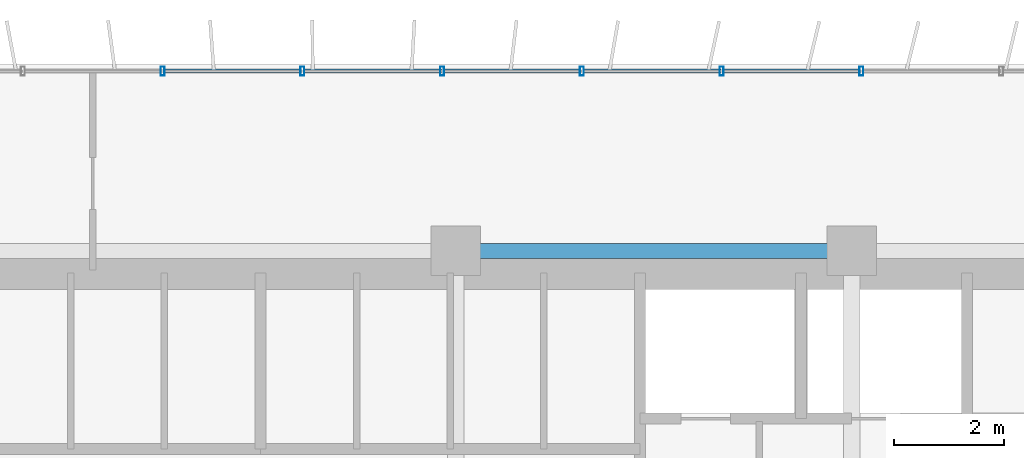
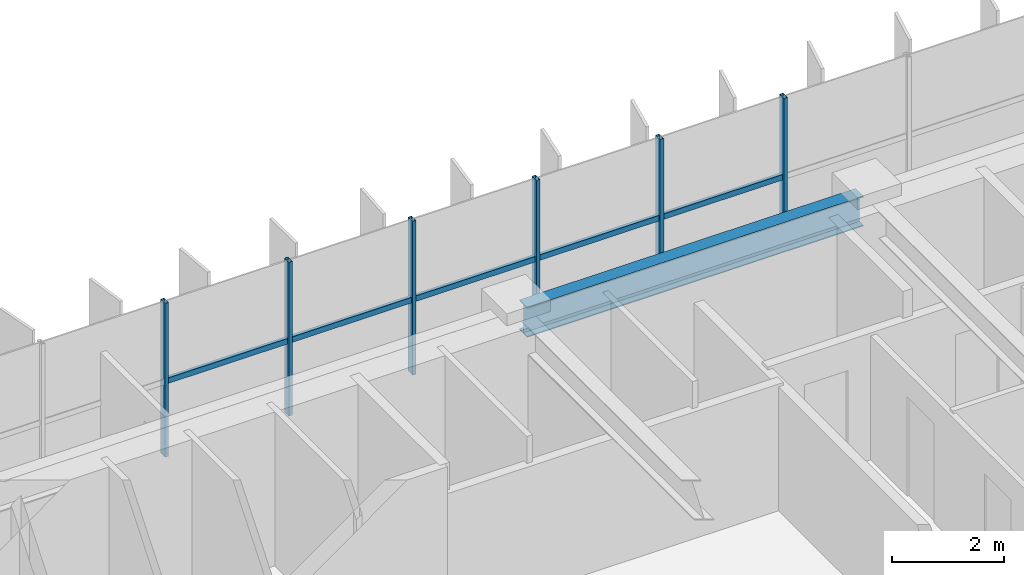
# One storey, part 10 of 23: 11 members, 1 beam, 1 element without a shape of its own.
"""IFC4 building model written with IfcOpenShell, lengths in metres."""

from ifc_helpers import new_model, si_unit, direction, frame, origin, origin_2d, place, context, subcontext, project, spatial, hollow_rectangle, i_section, extrude, source, transform, mapped, material, material_profile, profile_set, type_object, element, aggregate, save


model = new_model("IFC4")

# Units and contexts
model_context = context("Model", 3, precision=1e-05, world=origin(), true_north=direction((0.0, 1.0)))
body_context = subcontext(model_context, "Body", "Model", "MODEL_VIEW")
ifc_project = project(units=[si_unit("LENGTHUNIT", "METRE"), si_unit("AREAUNIT", "SQUARE_METRE"), si_unit("VOLUMEUNIT", "CUBIC_METRE"), si_unit("PLANEANGLEUNIT", "RADIAN"), si_unit("MASSUNIT", "GRAM", prefix="KILO")], contexts=[model_context])

# Site, building, storey
site_placement = place(None, origin())
site = spatial("IfcSite", under=ifc_project, at=site_placement, CompositionType="ELEMENT")
building_placement = place(site_placement, origin())
building = spatial("IfcBuilding", under=site, at=building_placement, Name="Trelvane Seafront Commons", CompositionType="ELEMENT")
storey_placement = place(building_placement, frame((0.0, 0.0, 63.10009765625)))
storey = spatial("IfcBuildingStorey", under=building, at=storey_placement, Name="L16", CompositionType="ELEMENT", Elevation=63.10009765625)

# Beam
ifc_material_1 = material(Name="Steel SM355 (S355)", Category="steel")
ifc_material_profile_1 = material_profile(ifc_material_1, i_section(OverallWidth=0.280029296875, OverallDepth=0.64990234375, WebThickness=0.012939453125, FlangeThickness=0.02197265625, at=origin_2d()), Name="H-650x280x13x22")
ifc_profile_set_1 = profile_set([ifc_material_profile_1], Name="Steel SM355 (S355)")
beam_type = type_object("IfcBeamType", Name="STR-BM-H650", PredefinedType="BEAM", material=ifc_profile_set_1)
shared_shape_1 = source(origin(), body_context, "Body", "SweptSolid", [
    extrude(i_section(OverallWidth=0.280029296875, OverallDepth=0.64990234375, WebThickness=0.012939453125, FlangeThickness=0.02197265625, at=origin_2d()), origin(), (0.0, 0.0, 1.0), 6.900146484375),
])
beam_placement = place(storey_placement, frame((43.949951171875, 45.10009765625, 3.014892578125), z_axis=(1.0, 0.0, 0.0), x_axis=(0.0, 1.0, 0.0)))
element("IfcBeam", 1, at=beam_placement, inside=storey, type_object=beam_type, Name="L16 Primary Girder G-33", PredefinedType="BEAM", context=body_context, shape_type="MappedRepresentation", body=[
    mapped(shared_shape_1, transform((0.0, 0.0, 0.0), x_axis=(1.0, 0.0, 0.0), y_axis=(0.0, 1.0, 0.0), z_axis=(0.0, 0.0, 1.0), scale=1.0)),
])

# Curtain wall, members
ifc_material_2 = material(Name="Anodised pale-silver aluminium", Category="aluminium")
curtain_wall_type = type_object("IfcCurtainWallType", Name="ARCH-CW2-LOWTOWER", PredefinedType="NOTDEFINED", material=ifc_material_2)
curtain_wall_placement = place(storey_placement, origin())
curtain_wall = element("IfcCurtainWall", 2, at=curtain_wall_placement, inside=storey, type_object=curtain_wall_type, Name="CW-L16-0040", PredefinedType="NOTDEFINED")
ifc_material_profile_2 = material_profile(ifc_material_2, hollow_rectangle(XDim=0.070068359375, YDim=0.1201171875, WallThickness=0.00390625, at=origin_2d()), Name="TRAN-70x120x4")
ifc_profile_set_2 = profile_set([ifc_material_profile_2], Name="Anodised pale-silver aluminium")
member_type_1 = type_object("IfcMemberType", Name="ARCH-CW-TRAN-120", PredefinedType="USERDEFINED", material=ifc_profile_set_2)
shared_shape_2 = source(origin(), body_context, "Body", "SweptSolid", [
    extrude(hollow_rectangle(XDim=0.070068359375, YDim=0.1201171875, WallThickness=0.00390625, at=origin_2d()), origin(), (0.0, 0.0, 1.0), 2.51708984375),
])
member_1_placement = place(storey_placement, frame((38.482666015625, 48.3701171875, 1.602783203125), z_axis=(1.0, 0.0, 0.0), x_axis=(0.0, 1.0, 0.0)))
member_1 = element("IfcMember", 3, at=member_1_placement, type_object=member_type_1, Name="CW-L16-0040-T09", ObjectType="TRANSOM", PredefinedType="USERDEFINED", context=body_context, shape_type="MappedRepresentation", body=[
    mapped(shared_shape_2, transform((0.0, 0.0, 0.0), x_axis=(1.0, 0.0, 0.0), y_axis=(0.0, 1.0, 0.0), z_axis=(0.0, 0.0, 1.0), scale=1.0)),
])
member_2_placement = place(storey_placement, frame((43.56494140625, 48.3701171875, 1.602783203125), z_axis=(1.0, 0.0, 0.0), x_axis=(0.0, 1.0, 0.0)))
member_2 = element("IfcMember", 4, at=member_2_placement, type_object=member_type_1, Name="CW-L16-0040-T11", ObjectType="TRANSOM", PredefinedType="USERDEFINED", context=body_context, shape_type="MappedRepresentation", body=[
    mapped(shared_shape_2, transform((0.0, 0.0, 0.0), x_axis=(1.0, 0.0, 0.0), y_axis=(0.0, 1.0, 0.0), z_axis=(0.0, 0.0, 1.0), scale=1.0)),
])
member_3_placement = place(storey_placement, frame((46.106201171875, 48.3701171875, 1.602783203125), z_axis=(1.0, 0.0, 0.0), x_axis=(0.0, 1.0, 0.0)))
member_3 = element("IfcMember", 5, at=member_3_placement, type_object=member_type_1, Name="CW-L16-0040-T12", ObjectType="TRANSOM", PredefinedType="USERDEFINED", context=body_context, shape_type="MappedRepresentation", body=[
    mapped(shared_shape_2, transform((0.0, 0.0, 0.0), x_axis=(1.0, 0.0, 0.0), y_axis=(0.0, 1.0, 0.0), z_axis=(0.0, 0.0, 1.0), scale=1.0)),
])
shared_shape_3 = source(origin(), body_context, "Body", "SweptSolid", [
    extrude(hollow_rectangle(XDim=0.070068359375, YDim=0.1201171875, WallThickness=0.00390625, at=origin_2d()), origin(), (0.0, 0.0, 1.0), 2.517333984375),
])
member_4_placement = place(storey_placement, frame((41.023681640625, 48.3701171875, 1.602783203125), z_axis=(1.0, 0.0, 0.0), x_axis=(0.0, 1.0, 0.0)))
member_4 = element("IfcMember", 6, at=member_4_placement, type_object=member_type_1, Name="CW-L16-0040-T10", ObjectType="TRANSOM", PredefinedType="USERDEFINED", context=body_context, shape_type="MappedRepresentation", body=[
    mapped(shared_shape_3, transform((0.0, 0.0, 0.0), x_axis=(1.0, 0.0, 0.0), y_axis=(0.0, 1.0, 0.0), z_axis=(0.0, 0.0, 1.0), scale=1.0)),
])
member_5_placement = place(storey_placement, frame((48.647216796875, 48.3701171875, 1.602783203125), z_axis=(1.0, 0.0, 0.0), x_axis=(0.0, 1.0, 0.0)))
member_5 = element("IfcMember", 7, at=member_5_placement, type_object=member_type_1, Name="CW-L16-0040-T13", ObjectType="TRANSOM", PredefinedType="USERDEFINED", context=body_context, shape_type="MappedRepresentation", body=[
    mapped(shared_shape_3, transform((0.0, 0.0, 0.0), x_axis=(1.0, 0.0, 0.0), y_axis=(0.0, 1.0, 0.0), z_axis=(0.0, 0.0, 1.0), scale=1.0)),
])
ifc_material_profile_3 = material_profile(ifc_material_2, hollow_rectangle(XDim=0.074951171875, YDim=0.159912109375, WallThickness=0.00390625, at=origin_2d()), Name="MULL-75x160x4")
ifc_profile_set_3 = profile_set([ifc_material_profile_3], Name="Anodised pale-silver aluminium")
member_type_2 = type_object("IfcMemberType", Name="ARCH-CW-MULL-160", PredefinedType="MULLION", material=ifc_profile_set_3)
shared_shape_4 = source(origin(), body_context, "Body", "SweptSolid", [
    extrude(hollow_rectangle(XDim=0.074951171875, YDim=0.159912109375, WallThickness=0.00390625, at=origin_2d()), origin(), (0.0, 0.0, 1.0), 3.33984375),
])
member_6_placement = place(storey_placement, frame((38.470703125, 48.3701171875, 0.0), z_axis=(0.0, 0.0, 1.0), x_axis=(1.0, 0.0, 0.0)))
member_6 = element("IfcMember", 8, at=member_6_placement, type_object=member_type_2, Name="CW-L16-0040-M09", PredefinedType="MULLION", context=body_context, shape_type="MappedRepresentation", body=[
    mapped(shared_shape_4, transform((0.0, 0.0, 0.0), x_axis=(1.0, 0.0, 0.0), y_axis=(0.0, 1.0, 0.0), z_axis=(0.0, 0.0, 1.0), scale=1.0)),
])
member_7_placement = place(storey_placement, frame((41.01171875, 48.3701171875, 0.0), z_axis=(0.0, 0.0, 1.0), x_axis=(1.0, 0.0, 0.0)))
member_7 = element("IfcMember", 9, at=member_7_placement, type_object=member_type_2, Name="CW-L16-0040-M10", PredefinedType="MULLION", context=body_context, shape_type="MappedRepresentation", body=[
    mapped(shared_shape_4, transform((0.0, 0.0, 0.0), x_axis=(1.0, 0.0, 0.0), y_axis=(0.0, 1.0, 0.0), z_axis=(0.0, 0.0, 1.0), scale=1.0)),
])
member_8_placement = place(storey_placement, frame((43.552978515625, 48.3701171875, 0.0), z_axis=(0.0, 0.0, 1.0), x_axis=(1.0, 0.0, 0.0)))
member_8 = element("IfcMember", 10, at=member_8_placement, type_object=member_type_2, Name="CW-L16-0040-M11", PredefinedType="MULLION", context=body_context, shape_type="MappedRepresentation", body=[
    mapped(shared_shape_4, transform((0.0, 0.0, 0.0), x_axis=(1.0, 0.0, 0.0), y_axis=(0.0, 1.0, 0.0), z_axis=(0.0, 0.0, 1.0), scale=1.0)),
])
member_9_placement = place(storey_placement, frame((46.093994140625, 48.3701171875, 0.0), z_axis=(0.0, 0.0, 1.0), x_axis=(1.0, 0.0, 0.0)))
member_9 = element("IfcMember", 11, at=member_9_placement, type_object=member_type_2, Name="CW-L16-0040-M12", PredefinedType="MULLION", context=body_context, shape_type="MappedRepresentation", body=[
    mapped(shared_shape_4, transform((0.0, 0.0, 0.0), x_axis=(1.0, 0.0, 0.0), y_axis=(0.0, 1.0, 0.0), z_axis=(0.0, 0.0, 1.0), scale=1.0)),
])
member_10_placement = place(storey_placement, frame((48.63525390625, 48.3701171875, 0.0), z_axis=(0.0, 0.0, 1.0), x_axis=(1.0, 0.0, 0.0)))
member_10 = element("IfcMember", 12, at=member_10_placement, type_object=member_type_2, Name="CW-L16-0040-M13", PredefinedType="MULLION", context=body_context, shape_type="MappedRepresentation", body=[
    mapped(shared_shape_4, transform((0.0, 0.0, 0.0), x_axis=(1.0, 0.0, 0.0), y_axis=(0.0, 1.0, 0.0), z_axis=(0.0, 0.0, 1.0), scale=1.0)),
])
member_11_placement = place(storey_placement, frame((51.176513671875, 48.3701171875, 0.0), z_axis=(0.0, 0.0, 1.0), x_axis=(1.0, 0.0, 0.0)))
member_11 = element("IfcMember", 13, at=member_11_placement, type_object=member_type_2, Name="CW-L16-0040-M14", PredefinedType="MULLION", context=body_context, shape_type="MappedRepresentation", body=[
    mapped(shared_shape_4, transform((0.0, 0.0, 0.0), x_axis=(1.0, 0.0, 0.0), y_axis=(0.0, 1.0, 0.0), z_axis=(0.0, 0.0, 1.0), scale=1.0)),
])
aggregate(curtain_wall, [member_6, member_7, member_8, member_9, member_10, member_11, member_1, member_4, member_2, member_3, member_5])

save(model, "model.ifc")
